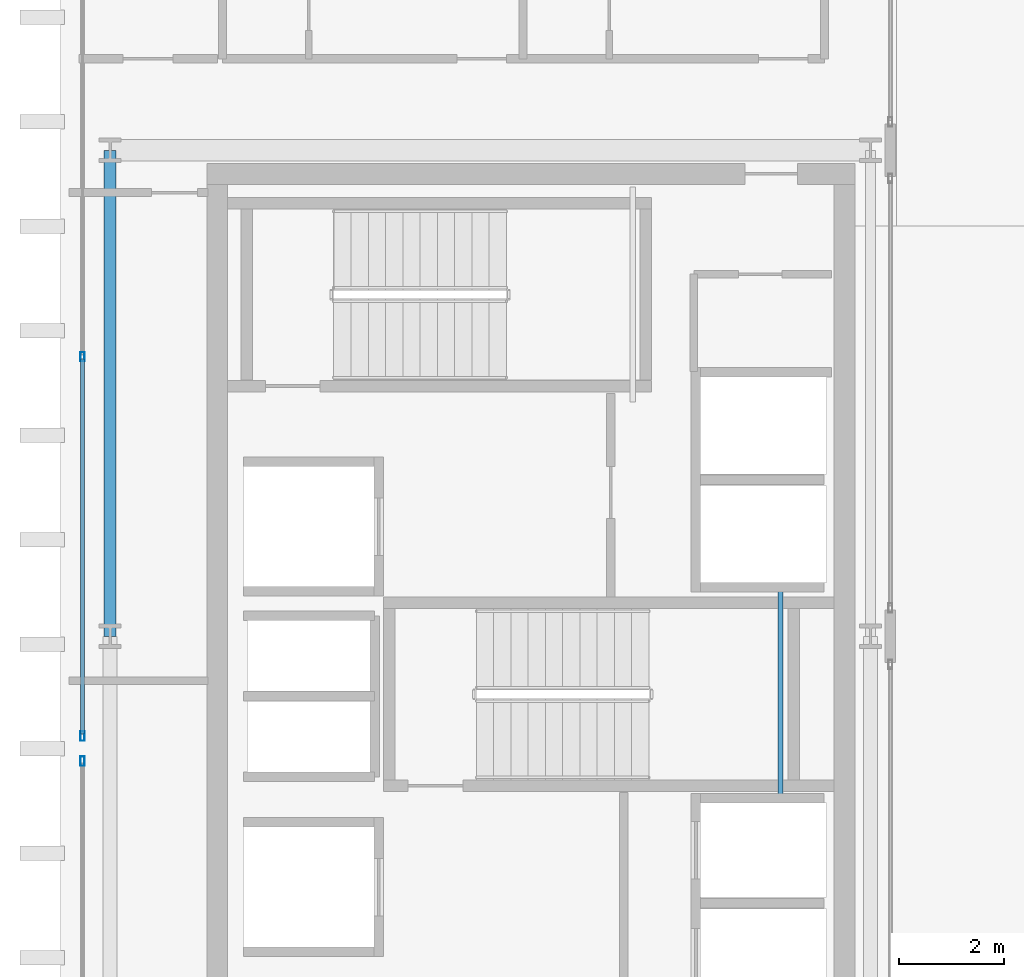
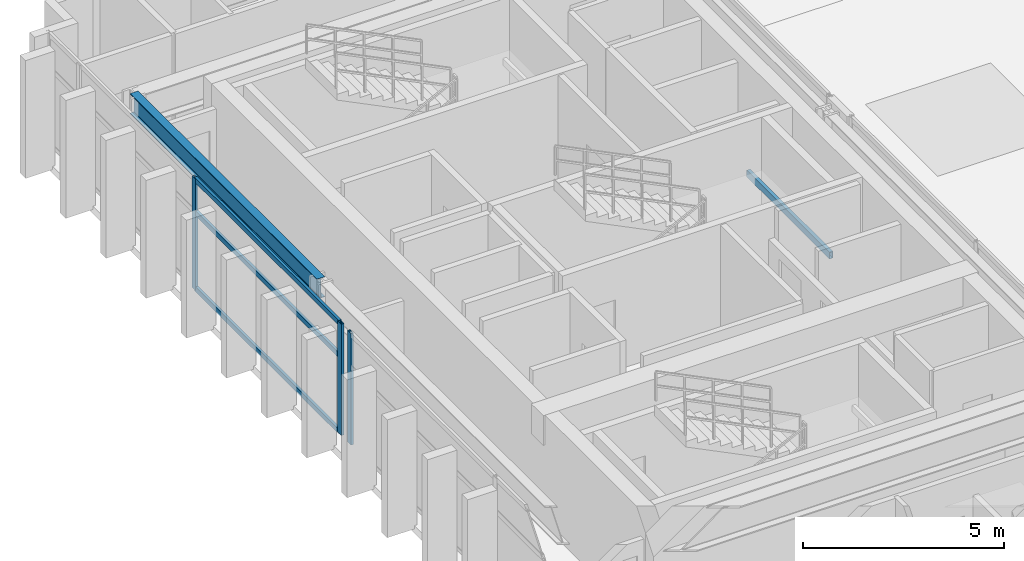
# One storey, part 5 of 25: 6 members, 2 beams, 2 elements without a shape of their own.
"""IFC4 building model written with IfcOpenShell, lengths in metres."""

from ifc_helpers import new_model, si_unit, direction, frame, origin, origin_2d, place, context, subcontext, project, spatial, hollow_rectangle, i_section, extrude, source, transform, mapped, material, layer, layer_set, material_profile, profile_set, type_object, element, aggregate, save


model = new_model("IFC4")

# Units and contexts
model_context = context("Model", 3, precision=1e-05, world=origin(), true_north=direction((0.0, 1.0)))
body_context = subcontext(model_context, "Body", "Model", "MODEL_VIEW")
ifc_project = project(units=[si_unit("LENGTHUNIT", "METRE"), si_unit("AREAUNIT", "SQUARE_METRE"), si_unit("VOLUMEUNIT", "CUBIC_METRE"), si_unit("PLANEANGLEUNIT", "RADIAN"), si_unit("MASSUNIT", "GRAM", prefix="KILO")], contexts=[model_context])

# Site, building, storey
site_placement = place(None, origin())
site = spatial("IfcSite", under=ifc_project, at=site_placement, CompositionType="ELEMENT")
building_placement = place(site_placement, origin())
building = spatial("IfcBuilding", under=site, at=building_placement, Name="Ocotamira Hotel", CompositionType="ELEMENT")
storey_placement = place(building_placement, frame((0.0, 0.0, 250.800048828125)))
storey = spatial("IfcBuildingStorey", under=building, at=storey_placement, Name="L63", CompositionType="ELEMENT", Elevation=250.800048828125)

# Beams
ifc_material_1 = material(Name="Steel ASTM A500 Grade C", Category="steel")
ifc_material_profile_1 = material_profile(ifc_material_1, hollow_rectangle(XDim=0.10009765625, YDim=0.199951171875, WallThickness=0.008056640625, at=origin_2d()), Name="HSS200X100X8")
ifc_profile_set_1 = profile_set([ifc_material_profile_1], Name="Steel ASTM A500 Grade C")
beam_type_1 = type_object("IfcBeamType", Name="BM-STLDG-HSS200", PredefinedType="BEAM", material=ifc_profile_set_1)
shared_shape_1 = source(origin(), body_context, "Body", "SweptSolid", [
    extrude(hollow_rectangle(XDim=0.10009765625, YDim=0.199951171875, WallThickness=0.008056640625, at=origin_2d()), origin(), (0.0, 0.0, 1.0), 4.1201171875),
])
beam_1_placement = place(storey_placement, frame((21.780029296875, 24.97998046875, 1.5), z_axis=(0.0, 1.0, 0.0), x_axis=(-1.0, 0.0, 0.0)))
element("IfcBeam", 1, at=beam_1_placement, inside=storey, type_object=beam_type_1, Name="L63 Stair ST-3 Landing Bearer 1", PredefinedType="BEAM", context=body_context, shape_type="MappedRepresentation", body=[
    mapped(shared_shape_1, transform((0.0, 0.0, 0.0), scale=1.0)),
])
ifc_material_2 = material(Name="Steel ASTM A992 Grade 50", Category="steel")
ifc_material_profile_2 = material_profile(ifc_material_2, i_section(OverallWidth=0.22998046875, OverallDepth=0.616943359375, WebThickness=0.01318359375, FlangeThickness=0.022216796875, FilletRadius=0.012939453125, at=origin_2d()), Name="W24X94")
ifc_profile_set_2 = profile_set([ifc_material_profile_2], Name="Steel ASTM A992 Grade 50")
beam_type_2 = type_object("IfcBeamType", Name="BM-PRIM-W24X94", PredefinedType="BEAM", material=ifc_profile_set_2)
shared_shape_2 = source(origin(), body_context, "Body", "SweptSolid", [
    extrude(i_section(OverallWidth=0.22998046875, OverallDepth=0.616943359375, WebThickness=0.01318359375, FlangeThickness=0.022216796875, FilletRadius=0.012939453125, at=origin_2d()), origin(), (0.0, 0.0, 1.0), 9.300048828125),
])
beam_2_placement = place(storey_placement, frame((8.949951171875, 28.14990234375, 3.071533203125), z_axis=(0.0, 1.0, 0.0), x_axis=(-1.0, 0.0, 0.0)))
element("IfcBeam", 2, at=beam_2_placement, inside=storey, type_object=beam_type_2, Name="L63 Beam X8.95 Y28.15-37.45", PredefinedType="BEAM", context=body_context, shape_type="MappedRepresentation", body=[
    mapped(shared_shape_2, transform((0.0, 0.0, 0.0), scale=1.0)),
])

# Curtain wall, member
ifc_material_3 = material(Name="Anodised pale-metal aluminium and solar glass", Category="aluminium")
ifc_layer = layer(ifc_material_3, 0.2099609375)
ifc_layer_set = layer_set([ifc_layer], Name="Anodised pale-metal aluminium and solar glass")
curtain_wall_type = type_object("IfcCurtainWallType", Name="CW-SYS7-PEAK", PredefinedType="NOTDEFINED", material=ifc_layer_set)
curtain_wall_1_placement = place(storey_placement, origin())
curtain_wall_1 = element("IfcCurtainWall", 3, at=curtain_wall_1_placement, inside=storey, type_object=curtain_wall_type, Name="L63 Curtain Wall CW-7 CW-L63-WO1", PredefinedType="NOTDEFINED")
ifc_material_4 = material(Name="Anodised pale-metal aluminium 6063-T6", Category="aluminium")
ifc_material_profile_3 = material_profile(ifc_material_4, hollow_rectangle(XDim=0.080078125, YDim=0.179931640625, WallThickness=0.006103515625, at=origin_2d()), Name="HSS180X80X6")
ifc_profile_set_3 = profile_set([ifc_material_profile_3], Name="Anodised pale-metal aluminium 6063-T6")
member_type_1 = type_object("IfcMemberType", Name="CWM-180X75", PredefinedType="MULLION", material=ifc_profile_set_3)
shared_shape_3 = source(origin(), body_context, "Body", "SweptSolid", [
    extrude(hollow_rectangle(XDim=0.080078125, YDim=0.179931640625, WallThickness=0.006103515625, at=origin_2d()), origin(), (0.0, 0.0, 1.0), 3.3798828125),
])
member_1_placement = place(storey_placement, frame((8.419921875, 25.760009765625, 0.0), z_axis=(0.0, 0.0, 1.0), x_axis=(-1.0, 0.0, 0.0)))
member_1 = element("IfcMember", 4, at=member_1_placement, type_object=member_type_1, Name="CW-7 mullion 3", PredefinedType="MULLION", context=body_context, shape_type="MappedRepresentation", body=[
    mapped(shared_shape_3, transform((0.0, 0.0, 0.0), scale=1.0)),
])
aggregate(curtain_wall_1, [member_1])

# Curtain wall, members
curtain_wall_2_placement = place(storey_placement, origin())
curtain_wall_2 = element("IfcCurtainWall", 5, at=curtain_wall_2_placement, inside=storey, type_object=curtain_wall_type, Name="L63 Curtain Wall CW-7 CW-L63-WO2", PredefinedType="NOTDEFINED")
member_2_placement = place(storey_placement, frame((8.419921875, 26.239990234375, 0.0), z_axis=(0.0, 0.0, 1.0), x_axis=(-1.0, 0.0, 0.0)))
member_2 = element("IfcMember", 6, at=member_2_placement, type_object=member_type_1, Name="CW-7 mullion 1", PredefinedType="MULLION", context=body_context, shape_type="MappedRepresentation", body=[
    mapped(shared_shape_3, transform((0.0, 0.0, 0.0), scale=1.0)),
])
member_3_placement = place(storey_placement, frame((8.419921875, 33.5, 0.0), z_axis=(0.0, 0.0, 1.0), x_axis=(-1.0, 0.0, 0.0)))
member_3 = element("IfcMember", 7, at=member_3_placement, type_object=member_type_1, Name="CW-7 mullion 2", PredefinedType="MULLION", context=body_context, shape_type="MappedRepresentation", body=[
    mapped(shared_shape_3, transform((0.0, 0.0, 0.0), scale=1.0)),
])
ifc_material_profile_4 = material_profile(ifc_material_4, hollow_rectangle(XDim=0.074951171875, YDim=0.14990234375, WallThickness=0.006103515625, at=origin_2d()), Name="HSS150X75X6")
ifc_profile_set_4 = profile_set([ifc_material_profile_4], Name="Anodised pale-metal aluminium 6063-T6")
member_type_2 = type_object("IfcMemberType", Name="CWT-150X75", PredefinedType="USERDEFINED", material=ifc_profile_set_4)
shared_shape_4 = source(origin(), body_context, "Body", "SweptSolid", [
    extrude(hollow_rectangle(XDim=0.074951171875, YDim=0.14990234375, WallThickness=0.006103515625, at=origin_2d()), origin(), (0.0, 0.0, 1.0), 7.179931640625),
])
member_4_placement = place(storey_placement, frame((8.419921875, 26.280029296875, 0.037353515625), z_axis=(0.0, 1.0, 0.0), x_axis=(-1.0, 0.0, 0.0)))
member_4 = element("IfcMember", 8, at=member_4_placement, type_object=member_type_2, Name="CW-7 transom 1.1", ObjectType="TRANSOM", PredefinedType="USERDEFINED", context=body_context, shape_type="MappedRepresentation", body=[
    mapped(shared_shape_4, transform((0.0, 0.0, 0.0), scale=1.0)),
])
member_5_placement = place(storey_placement, frame((8.419921875, 26.280029296875, 2.349853515625), z_axis=(0.0, 1.0, 0.0), x_axis=(-1.0, 0.0, 0.0)))
member_5 = element("IfcMember", 9, at=member_5_placement, type_object=member_type_2, Name="CW-7 transom 1.2", ObjectType="TRANSOM", PredefinedType="USERDEFINED", context=body_context, shape_type="MappedRepresentation", body=[
    mapped(shared_shape_4, transform((0.0, 0.0, 0.0), scale=1.0)),
])
member_6_placement = place(storey_placement, frame((8.419921875, 26.280029296875, 3.342529296875), z_axis=(0.0, 1.0, 0.0), x_axis=(-1.0, 0.0, 0.0)))
member_6 = element("IfcMember", 10, at=member_6_placement, type_object=member_type_2, Name="CW-7 transom 1.3", ObjectType="TRANSOM", PredefinedType="USERDEFINED", context=body_context, shape_type="MappedRepresentation", body=[
    mapped(shared_shape_4, transform((0.0, 0.0, 0.0), scale=1.0)),
])
aggregate(curtain_wall_2, [member_2, member_3, member_4, member_5, member_6])

save(model, "model.ifc")
